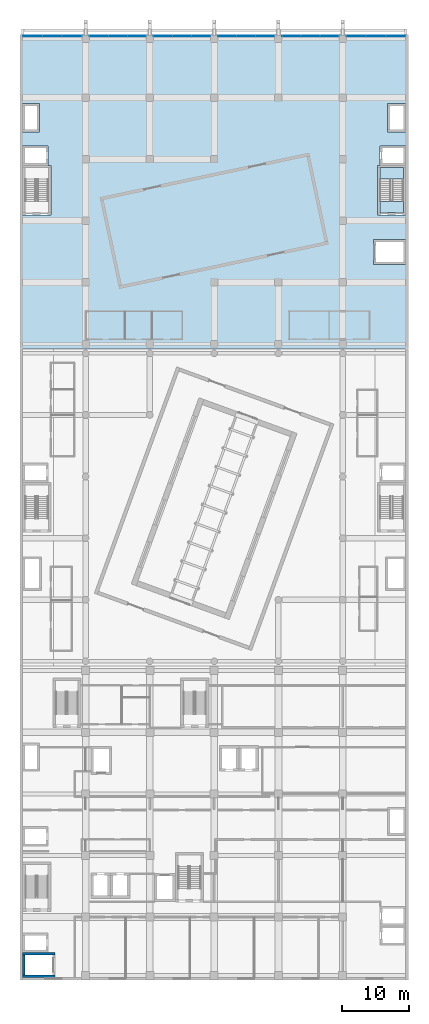
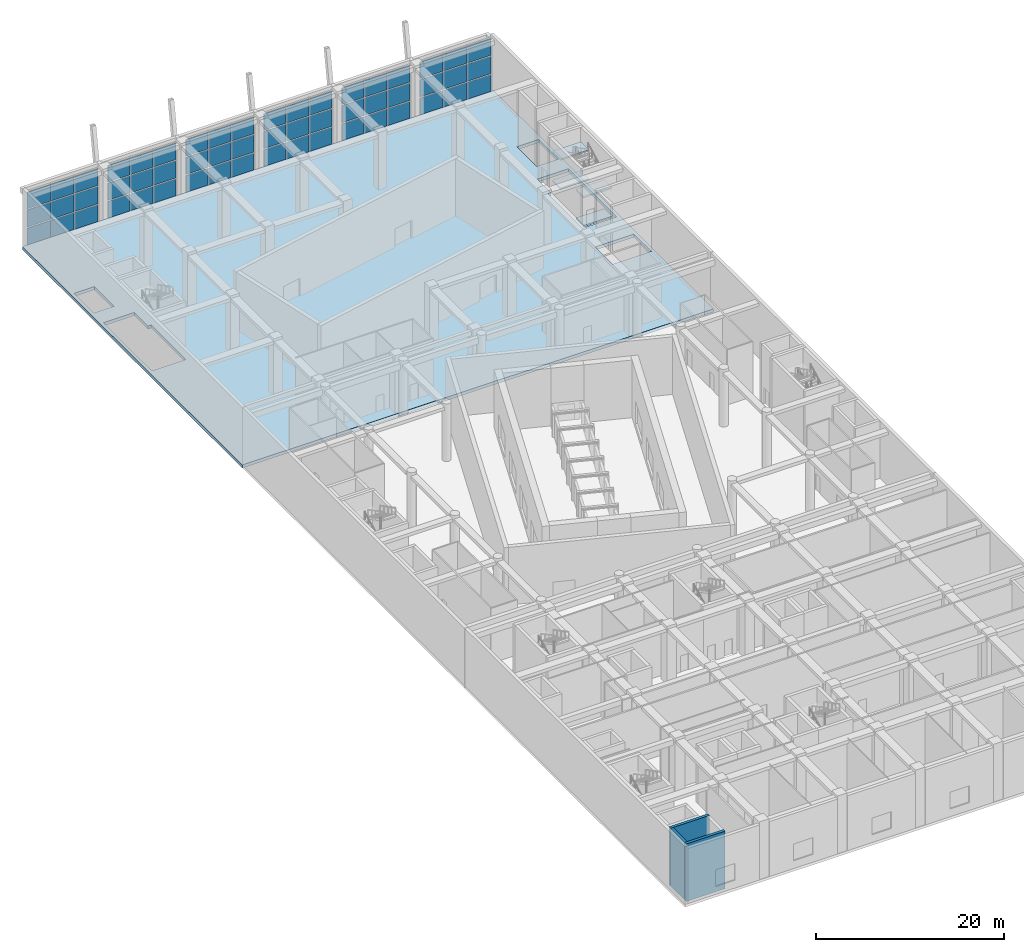
# One storey, part 12 of 36: 54 plates, 5 slabs, 3 walls, 7 elements without a shape of their own.
"""IFC4 building model written with IfcOpenShell, lengths in metres."""

import ifcopenshell
import ifcopenshell.guid

model = None  # the IFC model being written
_history = None  # IfcOwnerHistory: only IFC2X3 demands one
_inside = {}  # id of a spatial element -> (the spatial element, [elements in it])
_under = {}  # id of a project, library or spatial element -> (it, [spatial elements below it])
_declared = {}  # id of a project -> (the project, [libraries it declares])
_typed = {}  # id of a type object -> (the type object, [elements of that type])
_made_of = {}  # id of a material, layer set ... -> (it, [elements and type objects made of it])


def new_model(schema):
    """Start an empty IFC model of exactly this schema.

    Asked for "IFC4X3", IfcOpenShell would pick the latest addendum, in which some entities
    have other attributes; the version numbers below select the first issue.
    IFC2X3 requires an IfcOwnerHistory on every rooted entity: one is made here for all.
    """
    global model, _history
    if schema == "IFC4X3":
        model = ifcopenshell.file(schema_version=(4, 3, 0, 0))
    else:
        model = ifcopenshell.file(schema=schema)
    _inside.clear()
    _under.clear()
    _declared.clear()
    _typed.clear()
    _made_of.clear()
    _history = None
    if model.schema == "IFC2X3":
        org = make("IfcOrganization", Name="unknown")
        user = make(
            "IfcPersonAndOrganization",
            ThePerson=make("IfcPerson", FamilyName="unknown"),
            TheOrganization=org,
        )
        app = make(
            "IfcApplication",
            ApplicationDeveloper=org,
            Version="unknown",
            ApplicationFullName="unknown",
            ApplicationIdentifier="unknown",
        )
        _history = make(
            "IfcOwnerHistory",
            OwningUser=user,
            OwningApplication=app,
            ChangeAction="ADDED",
            CreationDate=0,
        )
    return model


def make(cls, **values):
    """One entity of the class cls with the attributes given. An attribute that is None is left unset."""
    return model.create_entity(
        cls, **{name: value for name, value in values.items() if value is not None}
    )


def rooted(cls, **values):
    """An entity with a GlobalId (a new one), such as an element, a storey or a relation."""
    return make(cls, GlobalId=ifcopenshell.guid.new(), OwnerHistory=_history, **values)


def si_unit(unit_type, name, prefix=None):
    """IfcSIUnit, for example si_unit("LENGTHUNIT", "METRE", prefix="MILLI")."""
    return make("IfcSIUnit", UnitType=unit_type, Prefix=prefix, Name=name)


def assignment(units):
    """IfcUnitAssignment: the units of a project."""
    return None if units is None else make("IfcUnitAssignment", Units=units)


def point(xyz):
    """IfcCartesianPoint."""
    return None if xyz is None else make("IfcCartesianPoint", Coordinates=xyz)


def direction(xyz):
    """IfcDirection."""
    return None if xyz is None else make("IfcDirection", DirectionRatios=xyz)


def frame(location, z_axis=None, x_axis=None):
    """IfcAxis2Placement3D, a coordinate frame: its origin and axes. An axis left out is left unset."""
    return make(
        "IfcAxis2Placement3D",
        Location=point(location),
        Axis=direction(z_axis),
        RefDirection=direction(x_axis),
    )


def frame_2d(location, x_axis=None):
    """IfcAxis2Placement2D, a coordinate frame in the plane: its origin and x axis."""
    return make(
        "IfcAxis2Placement2D", Location=point(location), RefDirection=direction(x_axis)
    )


def origin():
    """The frame at (0, 0, 0) with its axes left unset."""
    return frame((0.0, 0.0, 0.0))


def origin_2d():
    """The frame at (0, 0) in the plane with its x axis left unset."""
    return frame_2d((0.0, 0.0))


def place(relative_to, where):
    """IfcLocalPlacement: puts the frame where relative to a parent placement (None: the world)."""
    return make(
        "IfcLocalPlacement", PlacementRelTo=relative_to, RelativePlacement=where
    )


def context(
    kind, dimensions, precision=None, world=None, true_north=None, identifier=None
):
    """IfcGeometricRepresentationContext, for example the 3D "Model" context."""
    return make(
        "IfcGeometricRepresentationContext",
        ContextIdentifier=identifier,
        ContextType=kind,
        CoordinateSpaceDimension=dimensions,
        Precision=precision,
        WorldCoordinateSystem=world,
        TrueNorth=true_north,
    )


def subcontext(parent, identifier, kind, view, scale=None):
    """IfcGeometricRepresentationSubContext, for example "Body" below "Model"."""
    return make(
        "IfcGeometricRepresentationSubContext",
        ContextIdentifier=identifier,
        ContextType=kind,
        ParentContext=parent,
        TargetScale=scale,
        TargetView=view,
    )


def project(units=None, contexts=None):
    """IfcProject with its units and contexts."""
    return rooted(
        "IfcProject",
        Name="project",
        RepresentationContexts=contexts,
        UnitsInContext=assignment(units),
    )


def spatial(cls, under=None, at=None, **own):
    """A site, building, storey or space (cls), placed at a placement, below another one or the project."""
    s = rooted(cls, ObjectPlacement=at, **own)
    if under is not None:
        _under.setdefault(under.id(), (under, []))[1].append(s)
    return s


def polyline(points):
    """IfcPolyline through the points."""
    return make("IfcPolyline", Points=[point(p) for p in points])


def profile(cls, at=None, kind="AREA", **sizes):
    """A parametric profile (cls). Its sizes go by their IFC names, for example OverallWidth=200.0."""
    return make(cls, ProfileType=kind, Position=at, **sizes)


def rectangle(**sizes):
    """IfcRectangleProfileDef."""
    return profile("IfcRectangleProfileDef", **sizes)


def outline(outer, holes=None, kind="AREA"):
    """IfcArbitraryClosedProfileDef: a profile drawn as a closed curve; with holes, ...WithVoids."""
    if holes is None:
        return make("IfcArbitraryClosedProfileDef", ProfileType=kind, OuterCurve=outer)
    return make(
        "IfcArbitraryProfileDefWithVoids",
        ProfileType=kind,
        OuterCurve=outer,
        InnerCurves=holes,
    )


def extrude(swept, where, along, depth):
    """IfcExtrudedAreaSolid: the profile swept, set in the frame where, extruded along a direction by depth."""
    return make(
        "IfcExtrudedAreaSolid",
        SweptArea=swept,
        Position=where,
        ExtrudedDirection=direction(along),
        Depth=depth,
    )


def shape(context_of_items, identifier, shape_type, items):
    """IfcShapeRepresentation: the items that make up one representation, for example the "Body"."""
    return make(
        "IfcShapeRepresentation",
        ContextOfItems=context_of_items,
        RepresentationIdentifier=identifier,
        RepresentationType=shape_type,
        Items=items,
    )


def material(Name=None, Category=None):
    """IfcMaterial."""
    return make("IfcMaterial", Name=Name, Category=Category)


def layer(
    of_material, thickness, ventilated=None, Name=None, Category=None, Priority=None
):
    """IfcMaterialLayer: one layer of a wall or slab, of a material (None: an air gap)."""
    return make(
        "IfcMaterialLayer",
        Material=of_material,
        LayerThickness=thickness,
        IsVentilated=ventilated,
        Name=Name,
        Category=Category,
        Priority=Priority,
    )


def layer_set(layers, Name=None):
    """IfcMaterialLayerSet."""
    return make("IfcMaterialLayerSet", MaterialLayers=layers, LayerSetName=Name)


def made_of(thing, what):
    """Note that an element or type object is made of a material, layer set ...; save() writes the relation."""
    if what is not None:
        _made_of.setdefault(what.id(), (what, []))[1].append(thing)
    return thing


def type_object(cls, material=None, **own):
    """A type object (cls), such as IfcWallType, which elements share."""
    return made_of(rooted(cls, **own), material)


def element(
    cls,
    number,
    at=None,
    inside=None,
    cuts=None,
    type_object=None,
    material=None,
    context=None,
    identifier="Body",
    shape_type=None,
    held_by="IfcProductDefinitionShape",
    body=None,
    shapes=None,
    **own,
):
    """One element of the class cls, such as IfcWall. Its Tag is "e" and its number.

    at: its placement. inside: the storey or other place that contains it. cuts: it is an
    opening in that element (IfcRelVoidsElement). A single representation is given by context,
    identifier, shape_type and body (its items); several are given by shapes. held_by: the class
    of the entity that holds the representations. save() writes the other relations.
    """
    e = rooted(cls, Tag="e%d" % number, ObjectPlacement=at, **own)
    if body is not None:
        shapes = [shape(context, identifier, shape_type, body)]
    if shapes is not None:
        e.Representation = make(held_by, Representations=shapes)
    if inside is not None:
        _inside.setdefault(inside.id(), (inside, []))[1].append(e)
    if cuts is not None:
        rooted(
            "IfcRelVoidsElement", RelatingBuildingElement=cuts, RelatedOpeningElement=e
        )
    if type_object is not None:
        _typed.setdefault(type_object.id(), (type_object, []))[1].append(e)
    return made_of(e, material)


def aggregate(whole, parts):
    """IfcRelAggregates: a whole, such as a stair, and the parts it consists of."""
    return rooted("IfcRelAggregates", RelatingObject=whole, RelatedObjects=parts)


def save(model, path):
    """Write the relations noted so far, then the file.

    IfcRelAggregates (storeys below a building ...), IfcRelContainedInSpatialStructure (elements
    in a storey), IfcRelDefinesByType, IfcRelAssociatesMaterial and IfcRelDeclares: one each for
    every whole, place, type object, material and project.
    """
    for whole, parts in _under.values():
        aggregate(whole, parts)
    for where, things in _inside.values():
        rooted(
            "IfcRelContainedInSpatialStructure",
            RelatedElements=things,
            RelatingStructure=where,
        )
    for kind, things in _typed.values():
        rooted("IfcRelDefinesByType", RelatedObjects=things, RelatingType=kind)
    for what, things in _made_of.values():
        rooted("IfcRelAssociatesMaterial", RelatedObjects=things, RelatingMaterial=what)
    for by, libraries in _declared.values():
        rooted("IfcRelDeclares", RelatingContext=by, RelatedDefinitions=libraries)
    model.write(path)


model = new_model("IFC4")

# Units and contexts
model_context = context("Model", 3, precision=1e-05, world=origin(), true_north=direction((0.0, 1.0)))
body_context = subcontext(model_context, "Body", "Model", "MODEL_VIEW")
ifc_project = project(units=[si_unit("LENGTHUNIT", "METRE"), si_unit("AREAUNIT", "SQUARE_METRE"), si_unit("VOLUMEUNIT", "CUBIC_METRE"), si_unit("PLANEANGLEUNIT", "RADIAN"), si_unit("MASSUNIT", "GRAM", prefix="KILO")], contexts=[model_context])

# Site, building, storey
site_placement = place(None, origin())
site = spatial("IfcSite", under=ifc_project, at=site_placement, CompositionType="ELEMENT")
building_placement = place(site_placement, origin())
building = spatial("IfcBuilding", under=site, at=building_placement, Name="Nzadi Deep Aquarium and Research Tower", CompositionType="ELEMENT")
storey_placement = place(building_placement, frame((0.0, 0.0, 14.199951171875)))
storey = spatial("IfcBuildingStorey", under=building, at=storey_placement, Name="L02", CompositionType="ELEMENT", Elevation=14.199951171875)

# Curtain wall, plates
ifc_material_1 = material(Name="Aluminium unitised frame tall span", Category="aluminium")
ifc_layer_1 = layer(ifc_material_1, 0.35009765625)
ifc_layer_set_1 = layer_set([ifc_layer_1], Name="Aluminium unitised frame tall span")
curtain_wall_type = type_object("IfcCurtainWallType", Name="Curtain wall Podium 350", PredefinedType="NOTDEFINED", material=ifc_layer_set_1)
curtain_wall_1_placement = place(storey_placement, origin())
curtain_wall_1 = element("IfcCurtainWall", 1, at=curtain_wall_1_placement, inside=storey, type_object=curtain_wall_type, Name="North facade curtain wall L02", PredefinedType="NOTDEFINED")
ifc_material_2 = material(Name="Glass, clear low-iron", Category="glass")
ifc_layer_2 = layer(ifc_material_2, 0.0400390625)
ifc_layer_set_2 = layer_set([ifc_layer_2], Name="Glass, clear low-iron")
plate_type_1 = type_object("IfcPlateType", Name="Glazing panel 40 Podium", PredefinedType="CURTAIN_PANEL", material=ifc_layer_set_2)
plate_1_placement = place(storey_placement, frame((1.68994140625, 140.824951171875, 0.14013671875), z_axis=(0.0, 0.0, 1.0), x_axis=(1.0, 0.0, 0.0)))
plate_1 = element("IfcPlate", 2, at=plate_1_placement, type_object=plate_type_1, Name="CW249 panel 1.1", PredefinedType="CURTAIN_PANEL", context=body_context, shape_type="SweptSolid", body=[
    extrude(rectangle(XDim=2.860107421875, YDim=0.0400390625, at=origin_2d()), origin(), (0.0, 0.0, 1.0), 2.173095703125),
])
plate_2_placement = place(storey_placement, frame((1.68994140625, 140.824951171875, 2.453125), z_axis=(0.0, 0.0, 1.0), x_axis=(1.0, 0.0, 0.0)))
plate_2 = element("IfcPlate", 3, at=plate_2_placement, type_object=plate_type_1, Name="CW249 panel 1.2", PredefinedType="CURTAIN_PANEL", context=body_context, shape_type="SweptSolid", body=[
    extrude(rectangle(XDim=2.860107421875, YDim=0.0400390625, at=origin_2d()), origin(), (0.0, 0.0, 1.0), 2.243896484375),
])
plate_3_placement = place(storey_placement, frame((1.68994140625, 140.824951171875, 4.8369140625), z_axis=(0.0, 0.0, 1.0), x_axis=(1.0, 0.0, 0.0)))
plate_3 = element("IfcPlate", 4, at=plate_3_placement, type_object=plate_type_1, Name="CW249 panel 1.3", PredefinedType="CURTAIN_PANEL", context=body_context, shape_type="SweptSolid", body=[
    extrude(rectangle(XDim=2.860107421875, YDim=0.0400390625, at=origin_2d()), origin(), (0.0, 0.0, 1.0), 2.173095703125),
])

curtain_wall_2_placement = place(storey_placement, origin())
curtain_wall_2 = element("IfcCurtainWall", 5, at=curtain_wall_2_placement, inside=storey, type_object=curtain_wall_type, Name="North facade curtain wall L02", PredefinedType="NOTDEFINED")
plate_4_placement = place(storey_placement, frame((52.97509765625, 140.824951171875, 0.14013671875), z_axis=(0.0, 0.0, 1.0), x_axis=(1.0, 0.0, 0.0)))
plate_4 = element("IfcPlate", 6, at=plate_4_placement, type_object=plate_type_1, Name="CW254 panel 2.1", PredefinedType="CURTAIN_PANEL", context=body_context, shape_type="SweptSolid", body=[
    extrude(rectangle(XDim=2.889892578125, YDim=0.0400390625, at=origin_2d()), origin(), (0.0, 0.0, 1.0), 2.173095703125),
])
plate_5_placement = place(storey_placement, frame((52.97509765625, 140.824951171875, 2.453125), z_axis=(0.0, 0.0, 1.0), x_axis=(1.0, 0.0, 0.0)))
plate_5 = element("IfcPlate", 7, at=plate_5_placement, type_object=plate_type_1, Name="CW254 panel 2.2", PredefinedType="CURTAIN_PANEL", context=body_context, shape_type="SweptSolid", body=[
    extrude(rectangle(XDim=2.889892578125, YDim=0.0400390625, at=origin_2d()), origin(), (0.0, 0.0, 1.0), 2.243896484375),
])
plate_6_placement = place(storey_placement, frame((52.97509765625, 140.824951171875, 4.8369140625), z_axis=(0.0, 0.0, 1.0), x_axis=(1.0, 0.0, 0.0)))
plate_6 = element("IfcPlate", 8, at=plate_6_placement, type_object=plate_type_1, Name="CW254 panel 2.3", PredefinedType="CURTAIN_PANEL", context=body_context, shape_type="SweptSolid", body=[
    extrude(rectangle(XDim=2.889892578125, YDim=0.0400390625, at=origin_2d()), origin(), (0.0, 0.0, 1.0), 2.173095703125),
])
plate_7_placement = place(storey_placement, frame((55.909912109375, 140.824951171875, 0.14013671875), z_axis=(0.0, 0.0, 1.0), x_axis=(1.0, 0.0, 0.0)))
plate_7 = element("IfcPlate", 9, at=plate_7_placement, type_object=plate_type_1, Name="CW254 panel 3.1", PredefinedType="CURTAIN_PANEL", context=body_context, shape_type="SweptSolid", body=[
    extrude(rectangle(XDim=2.860107421875, YDim=0.0400390625, at=origin_2d()), origin(), (0.0, 0.0, 1.0), 2.173095703125),
])
plate_8_placement = place(storey_placement, frame((55.909912109375, 140.824951171875, 2.453125), z_axis=(0.0, 0.0, 1.0), x_axis=(1.0, 0.0, 0.0)))
plate_8 = element("IfcPlate", 10, at=plate_8_placement, type_object=plate_type_1, Name="CW254 panel 3.2", PredefinedType="CURTAIN_PANEL", context=body_context, shape_type="SweptSolid", body=[
    extrude(rectangle(XDim=2.860107421875, YDim=0.0400390625, at=origin_2d()), origin(), (0.0, 0.0, 1.0), 2.243896484375),
])
plate_9_placement = place(storey_placement, frame((55.909912109375, 140.824951171875, 4.8369140625), z_axis=(0.0, 0.0, 1.0), x_axis=(1.0, 0.0, 0.0)))
plate_9 = element("IfcPlate", 11, at=plate_9_placement, type_object=plate_type_1, Name="CW254 panel 3.3", PredefinedType="CURTAIN_PANEL", context=body_context, shape_type="SweptSolid", body=[
    extrude(rectangle(XDim=2.860107421875, YDim=0.0400390625, at=origin_2d()), origin(), (0.0, 0.0, 1.0), 2.173095703125),
])

# Plate
ifc_material_3 = material(Name="Glass, deep ocean tint", Category="glass")
ifc_layer_3 = layer(ifc_material_3, 0.0400390625)
ifc_layer_set_3 = layer_set([ifc_layer_3], Name="Glass, deep ocean tint")
plate_type_2 = type_object("IfcPlateType", Name="Glazing panel 40 Podium water-tinted", PredefinedType="CURTAIN_PANEL", material=ifc_layer_set_3)
plate_10_placement = place(storey_placement, frame((4.625, 140.824951171875, 0.14013671875), z_axis=(0.0, 0.0, 1.0), x_axis=(1.0, 0.0, 0.0)))
plate_10 = element("IfcPlate", 12, at=plate_10_placement, type_object=plate_type_2, Name="CW249 panel 2.1", PredefinedType="CURTAIN_PANEL", context=body_context, shape_type="SweptSolid", body=[
    extrude(rectangle(XDim=2.889892578125, YDim=0.0400390625, at=origin_2d()), origin(), (0.0, 0.0, 1.0), 2.173095703125),
])

plate_11_placement = place(storey_placement, frame((4.625, 140.824951171875, 2.453125), z_axis=(0.0, 0.0, 1.0), x_axis=(1.0, 0.0, 0.0)))
plate_11 = element("IfcPlate", 13, at=plate_11_placement, type_object=plate_type_2, Name="CW249 panel 2.2", PredefinedType="CURTAIN_PANEL", context=body_context, shape_type="SweptSolid", body=[
    extrude(rectangle(XDim=2.889892578125, YDim=0.0400390625, at=origin_2d()), origin(), (0.0, 0.0, 1.0), 2.243896484375),
])

plate_12_placement = place(storey_placement, frame((4.625, 140.824951171875, 4.8369140625), z_axis=(0.0, 0.0, 1.0), x_axis=(1.0, 0.0, 0.0)))
plate_12 = element("IfcPlate", 14, at=plate_12_placement, type_object=plate_type_2, Name="CW249 panel 2.3", PredefinedType="CURTAIN_PANEL", context=body_context, shape_type="SweptSolid", body=[
    extrude(rectangle(XDim=2.889892578125, YDim=0.0400390625, at=origin_2d()), origin(), (0.0, 0.0, 1.0), 2.173095703125),
])

plate_13_placement = place(storey_placement, frame((7.56005859375, 140.824951171875, 0.14013671875), z_axis=(0.0, 0.0, 1.0), x_axis=(1.0, 0.0, 0.0)))
plate_13 = element("IfcPlate", 15, at=plate_13_placement, type_object=plate_type_2, Name="CW249 panel 3.1", PredefinedType="CURTAIN_PANEL", context=body_context, shape_type="SweptSolid", body=[
    extrude(rectangle(XDim=2.860107421875, YDim=0.0400390625, at=origin_2d()), origin(), (0.0, 0.0, 1.0), 2.173095703125),
])

plate_14_placement = place(storey_placement, frame((7.56005859375, 140.824951171875, 2.453125), z_axis=(0.0, 0.0, 1.0), x_axis=(1.0, 0.0, 0.0)))
plate_14 = element("IfcPlate", 16, at=plate_14_placement, type_object=plate_type_2, Name="CW249 panel 3.2", PredefinedType="CURTAIN_PANEL", context=body_context, shape_type="SweptSolid", body=[
    extrude(rectangle(XDim=2.860107421875, YDim=0.0400390625, at=origin_2d()), origin(), (0.0, 0.0, 1.0), 2.243896484375),
])

plate_15_placement = place(storey_placement, frame((7.56005859375, 140.824951171875, 4.8369140625), z_axis=(0.0, 0.0, 1.0), x_axis=(1.0, 0.0, 0.0)))
plate_15 = element("IfcPlate", 17, at=plate_15_placement, type_object=plate_type_2, Name="CW249 panel 3.3", PredefinedType="CURTAIN_PANEL", context=body_context, shape_type="SweptSolid", body=[
    extrude(rectangle(XDim=2.860107421875, YDim=0.0400390625, at=origin_2d()), origin(), (0.0, 0.0, 1.0), 2.173095703125),
])

aggregate(curtain_wall_1, [plate_1, plate_2, plate_3, plate_10, plate_11, plate_12, plate_13, plate_14, plate_15])

# Curtain wall, plates
curtain_wall_3_placement = place(storey_placement, origin())
curtain_wall_3 = element("IfcCurtainWall", 18, at=curtain_wall_3_placement, inside=storey, type_object=curtain_wall_type, Name="North facade curtain wall L02", PredefinedType="NOTDEFINED")
plate_16_placement = place(storey_placement, frame((11.581787109375, 140.824951171875, 0.14013671875), z_axis=(0.0, 0.0, 1.0), x_axis=(1.0, 0.0, 0.0)))
plate_16 = element("IfcPlate", 19, at=plate_16_placement, type_object=plate_type_2, Name="CW250 panel 1.1", PredefinedType="CURTAIN_PANEL", context=body_context, shape_type="SweptSolid", body=[
    extrude(rectangle(XDim=2.743408203125, YDim=0.0400390625, at=origin_2d()), origin(), (0.0, 0.0, 1.0), 2.173095703125),
])
plate_17_placement = place(storey_placement, frame((11.581787109375, 140.824951171875, 2.453125), z_axis=(0.0, 0.0, 1.0), x_axis=(1.0, 0.0, 0.0)))
plate_17 = element("IfcPlate", 20, at=plate_17_placement, type_object=plate_type_2, Name="CW250 panel 1.2", PredefinedType="CURTAIN_PANEL", context=body_context, shape_type="SweptSolid", body=[
    extrude(rectangle(XDim=2.743408203125, YDim=0.0400390625, at=origin_2d()), origin(), (0.0, 0.0, 1.0), 2.243896484375),
])
plate_18_placement = place(storey_placement, frame((11.581787109375, 140.824951171875, 4.8369140625), z_axis=(0.0, 0.0, 1.0), x_axis=(1.0, 0.0, 0.0)))
plate_18 = element("IfcPlate", 21, at=plate_18_placement, type_object=plate_type_2, Name="CW250 panel 1.3", PredefinedType="CURTAIN_PANEL", context=body_context, shape_type="SweptSolid", body=[
    extrude(rectangle(XDim=2.743408203125, YDim=0.0400390625, at=origin_2d()), origin(), (0.0, 0.0, 1.0), 2.173095703125),
])
plate_19_placement = place(storey_placement, frame((14.39990234375, 140.824951171875, 0.14013671875), z_axis=(0.0, 0.0, 1.0), x_axis=(1.0, 0.0, 0.0)))
plate_19 = element("IfcPlate", 22, at=plate_19_placement, type_object=plate_type_2, Name="CW250 panel 2.1", PredefinedType="CURTAIN_PANEL", context=body_context, shape_type="SweptSolid", body=[
    extrude(rectangle(XDim=2.7734375, YDim=0.0400390625, at=origin_2d()), origin(), (0.0, 0.0, 1.0), 2.173095703125),
])
plate_20_placement = place(storey_placement, frame((14.39990234375, 140.824951171875, 2.453125), z_axis=(0.0, 0.0, 1.0), x_axis=(1.0, 0.0, 0.0)))
plate_20 = element("IfcPlate", 23, at=plate_20_placement, type_object=plate_type_2, Name="CW250 panel 2.2", PredefinedType="CURTAIN_PANEL", context=body_context, shape_type="SweptSolid", body=[
    extrude(rectangle(XDim=2.7734375, YDim=0.0400390625, at=origin_2d()), origin(), (0.0, 0.0, 1.0), 2.243896484375),
])
plate_21_placement = place(storey_placement, frame((14.39990234375, 140.824951171875, 4.8369140625), z_axis=(0.0, 0.0, 1.0), x_axis=(1.0, 0.0, 0.0)))
plate_21 = element("IfcPlate", 24, at=plate_21_placement, type_object=plate_type_2, Name="CW250 panel 2.3", PredefinedType="CURTAIN_PANEL", context=body_context, shape_type="SweptSolid", body=[
    extrude(rectangle(XDim=2.7734375, YDim=0.0400390625, at=origin_2d()), origin(), (0.0, 0.0, 1.0), 2.173095703125),
])
plate_22_placement = place(storey_placement, frame((17.21826171875, 140.824951171875, 0.14013671875), z_axis=(0.0, 0.0, 1.0), x_axis=(1.0, 0.0, 0.0)))
plate_22 = element("IfcPlate", 25, at=plate_22_placement, type_object=plate_type_2, Name="CW250 panel 3.1", PredefinedType="CURTAIN_PANEL", context=body_context, shape_type="SweptSolid", body=[
    extrude(rectangle(XDim=2.743408203125, YDim=0.0400390625, at=origin_2d()), origin(), (0.0, 0.0, 1.0), 2.173095703125),
])
plate_23_placement = place(storey_placement, frame((17.21826171875, 140.824951171875, 2.453125), z_axis=(0.0, 0.0, 1.0), x_axis=(1.0, 0.0, 0.0)))
plate_23 = element("IfcPlate", 26, at=plate_23_placement, type_object=plate_type_2, Name="CW250 panel 3.2", PredefinedType="CURTAIN_PANEL", context=body_context, shape_type="SweptSolid", body=[
    extrude(rectangle(XDim=2.743408203125, YDim=0.0400390625, at=origin_2d()), origin(), (0.0, 0.0, 1.0), 2.243896484375),
])
plate_24_placement = place(storey_placement, frame((17.21826171875, 140.824951171875, 4.8369140625), z_axis=(0.0, 0.0, 1.0), x_axis=(1.0, 0.0, 0.0)))
plate_24 = element("IfcPlate", 27, at=plate_24_placement, type_object=plate_type_2, Name="CW250 panel 3.3", PredefinedType="CURTAIN_PANEL", context=body_context, shape_type="SweptSolid", body=[
    extrude(rectangle(XDim=2.743408203125, YDim=0.0400390625, at=origin_2d()), origin(), (0.0, 0.0, 1.0), 2.173095703125),
])
aggregate(curtain_wall_3, [plate_16, plate_17, plate_18, plate_19, plate_20, plate_21, plate_22, plate_23, plate_24])

curtain_wall_4_placement = place(storey_placement, origin())
curtain_wall_4 = element("IfcCurtainWall", 28, at=curtain_wall_4_placement, inside=storey, type_object=curtain_wall_type, Name="North facade curtain wall L02", PredefinedType="NOTDEFINED")
plate_25_placement = place(storey_placement, frame((21.181640625, 140.824951171875, 0.14013671875), z_axis=(0.0, 0.0, 1.0), x_axis=(1.0, 0.0, 0.0)))
plate_25 = element("IfcPlate", 29, at=plate_25_placement, type_object=plate_type_2, Name="CW251 panel 1.1", PredefinedType="CURTAIN_PANEL", context=body_context, shape_type="SweptSolid", body=[
    extrude(rectangle(XDim=2.743408203125, YDim=0.0400390625, at=origin_2d()), origin(), (0.0, 0.0, 1.0), 2.173095703125),
])
plate_26_placement = place(storey_placement, frame((21.181640625, 140.824951171875, 2.453125), z_axis=(0.0, 0.0, 1.0), x_axis=(1.0, 0.0, 0.0)))
plate_26 = element("IfcPlate", 30, at=plate_26_placement, type_object=plate_type_2, Name="CW251 panel 1.2", PredefinedType="CURTAIN_PANEL", context=body_context, shape_type="SweptSolid", body=[
    extrude(rectangle(XDim=2.743408203125, YDim=0.0400390625, at=origin_2d()), origin(), (0.0, 0.0, 1.0), 2.243896484375),
])
plate_27_placement = place(storey_placement, frame((21.181640625, 140.824951171875, 4.8369140625), z_axis=(0.0, 0.0, 1.0), x_axis=(1.0, 0.0, 0.0)))
plate_27 = element("IfcPlate", 31, at=plate_27_placement, type_object=plate_type_2, Name="CW251 panel 1.3", PredefinedType="CURTAIN_PANEL", context=body_context, shape_type="SweptSolid", body=[
    extrude(rectangle(XDim=2.743408203125, YDim=0.0400390625, at=origin_2d()), origin(), (0.0, 0.0, 1.0), 2.173095703125),
])
plate_28_placement = place(storey_placement, frame((24.0, 140.824951171875, 0.14013671875), z_axis=(0.0, 0.0, 1.0), x_axis=(1.0, 0.0, 0.0)))
plate_28 = element("IfcPlate", 32, at=plate_28_placement, type_object=plate_type_2, Name="CW251 panel 2.1", PredefinedType="CURTAIN_PANEL", context=body_context, shape_type="SweptSolid", body=[
    extrude(rectangle(XDim=2.7734375, YDim=0.0400390625, at=origin_2d()), origin(), (0.0, 0.0, 1.0), 2.173095703125),
])
plate_29_placement = place(storey_placement, frame((24.0, 140.824951171875, 2.453125), z_axis=(0.0, 0.0, 1.0), x_axis=(1.0, 0.0, 0.0)))
plate_29 = element("IfcPlate", 33, at=plate_29_placement, type_object=plate_type_2, Name="CW251 panel 2.2", PredefinedType="CURTAIN_PANEL", context=body_context, shape_type="SweptSolid", body=[
    extrude(rectangle(XDim=2.7734375, YDim=0.0400390625, at=origin_2d()), origin(), (0.0, 0.0, 1.0), 2.243896484375),
])
plate_30_placement = place(storey_placement, frame((24.0, 140.824951171875, 4.8369140625), z_axis=(0.0, 0.0, 1.0), x_axis=(1.0, 0.0, 0.0)))
plate_30 = element("IfcPlate", 34, at=plate_30_placement, type_object=plate_type_2, Name="CW251 panel 2.3", PredefinedType="CURTAIN_PANEL", context=body_context, shape_type="SweptSolid", body=[
    extrude(rectangle(XDim=2.7734375, YDim=0.0400390625, at=origin_2d()), origin(), (0.0, 0.0, 1.0), 2.173095703125),
])
plate_31_placement = place(storey_placement, frame((26.818359375, 140.824951171875, 0.14013671875), z_axis=(0.0, 0.0, 1.0), x_axis=(1.0, 0.0, 0.0)))
plate_31 = element("IfcPlate", 35, at=plate_31_placement, type_object=plate_type_2, Name="CW251 panel 3.1", PredefinedType="CURTAIN_PANEL", context=body_context, shape_type="SweptSolid", body=[
    extrude(rectangle(XDim=2.743408203125, YDim=0.0400390625, at=origin_2d()), origin(), (0.0, 0.0, 1.0), 2.173095703125),
])
plate_32_placement = place(storey_placement, frame((26.818359375, 140.824951171875, 2.453125), z_axis=(0.0, 0.0, 1.0), x_axis=(1.0, 0.0, 0.0)))
plate_32 = element("IfcPlate", 36, at=plate_32_placement, type_object=plate_type_2, Name="CW251 panel 3.2", PredefinedType="CURTAIN_PANEL", context=body_context, shape_type="SweptSolid", body=[
    extrude(rectangle(XDim=2.743408203125, YDim=0.0400390625, at=origin_2d()), origin(), (0.0, 0.0, 1.0), 2.243896484375),
])
plate_33_placement = place(storey_placement, frame((26.818359375, 140.824951171875, 4.8369140625), z_axis=(0.0, 0.0, 1.0), x_axis=(1.0, 0.0, 0.0)))
plate_33 = element("IfcPlate", 37, at=plate_33_placement, type_object=plate_type_2, Name="CW251 panel 3.3", PredefinedType="CURTAIN_PANEL", context=body_context, shape_type="SweptSolid", body=[
    extrude(rectangle(XDim=2.743408203125, YDim=0.0400390625, at=origin_2d()), origin(), (0.0, 0.0, 1.0), 2.173095703125),
])
aggregate(curtain_wall_4, [plate_25, plate_26, plate_27, plate_28, plate_29, plate_30, plate_31, plate_32, plate_33])

curtain_wall_5_placement = place(storey_placement, origin())
curtain_wall_5 = element("IfcCurtainWall", 38, at=curtain_wall_5_placement, inside=storey, type_object=curtain_wall_type, Name="North facade curtain wall L02", PredefinedType="NOTDEFINED")
plate_34_placement = place(storey_placement, frame((30.78173828125, 140.824951171875, 0.14013671875), z_axis=(0.0, 0.0, 1.0), x_axis=(1.0, 0.0, 0.0)))
plate_34 = element("IfcPlate", 39, at=plate_34_placement, type_object=plate_type_2, Name="CW252 panel 1.1", PredefinedType="CURTAIN_PANEL", context=body_context, shape_type="SweptSolid", body=[
    extrude(rectangle(XDim=2.743408203125, YDim=0.0400390625, at=origin_2d()), origin(), (0.0, 0.0, 1.0), 2.173095703125),
])
plate_35_placement = place(storey_placement, frame((30.78173828125, 140.824951171875, 2.453125), z_axis=(0.0, 0.0, 1.0), x_axis=(1.0, 0.0, 0.0)))
plate_35 = element("IfcPlate", 40, at=plate_35_placement, type_object=plate_type_2, Name="CW252 panel 1.2", PredefinedType="CURTAIN_PANEL", context=body_context, shape_type="SweptSolid", body=[
    extrude(rectangle(XDim=2.743408203125, YDim=0.0400390625, at=origin_2d()), origin(), (0.0, 0.0, 1.0), 2.243896484375),
])
plate_36_placement = place(storey_placement, frame((30.78173828125, 140.824951171875, 4.8369140625), z_axis=(0.0, 0.0, 1.0), x_axis=(1.0, 0.0, 0.0)))
plate_36 = element("IfcPlate", 41, at=plate_36_placement, type_object=plate_type_2, Name="CW252 panel 1.3", PredefinedType="CURTAIN_PANEL", context=body_context, shape_type="SweptSolid", body=[
    extrude(rectangle(XDim=2.743408203125, YDim=0.0400390625, at=origin_2d()), origin(), (0.0, 0.0, 1.0), 2.173095703125),
])
plate_37_placement = place(storey_placement, frame((33.60009765625, 140.824951171875, 0.14013671875), z_axis=(0.0, 0.0, 1.0), x_axis=(1.0, 0.0, 0.0)))
plate_37 = element("IfcPlate", 42, at=plate_37_placement, type_object=plate_type_2, Name="CW252 panel 2.1", PredefinedType="CURTAIN_PANEL", context=body_context, shape_type="SweptSolid", body=[
    extrude(rectangle(XDim=2.7734375, YDim=0.0400390625, at=origin_2d()), origin(), (0.0, 0.0, 1.0), 2.173095703125),
])
plate_38_placement = place(storey_placement, frame((33.60009765625, 140.824951171875, 2.453125), z_axis=(0.0, 0.0, 1.0), x_axis=(1.0, 0.0, 0.0)))
plate_38 = element("IfcPlate", 43, at=plate_38_placement, type_object=plate_type_2, Name="CW252 panel 2.2", PredefinedType="CURTAIN_PANEL", context=body_context, shape_type="SweptSolid", body=[
    extrude(rectangle(XDim=2.7734375, YDim=0.0400390625, at=origin_2d()), origin(), (0.0, 0.0, 1.0), 2.243896484375),
])
plate_39_placement = place(storey_placement, frame((33.60009765625, 140.824951171875, 4.8369140625), z_axis=(0.0, 0.0, 1.0), x_axis=(1.0, 0.0, 0.0)))
plate_39 = element("IfcPlate", 44, at=plate_39_placement, type_object=plate_type_2, Name="CW252 panel 2.3", PredefinedType="CURTAIN_PANEL", context=body_context, shape_type="SweptSolid", body=[
    extrude(rectangle(XDim=2.7734375, YDim=0.0400390625, at=origin_2d()), origin(), (0.0, 0.0, 1.0), 2.173095703125),
])
plate_40_placement = place(storey_placement, frame((36.418212890625, 140.824951171875, 0.14013671875), z_axis=(0.0, 0.0, 1.0), x_axis=(1.0, 0.0, 0.0)))
plate_40 = element("IfcPlate", 45, at=plate_40_placement, type_object=plate_type_2, Name="CW252 panel 3.1", PredefinedType="CURTAIN_PANEL", context=body_context, shape_type="SweptSolid", body=[
    extrude(rectangle(XDim=2.743408203125, YDim=0.0400390625, at=origin_2d()), origin(), (0.0, 0.0, 1.0), 2.173095703125),
])
plate_41_placement = place(storey_placement, frame((36.418212890625, 140.824951171875, 2.453125), z_axis=(0.0, 0.0, 1.0), x_axis=(1.0, 0.0, 0.0)))
plate_41 = element("IfcPlate", 46, at=plate_41_placement, type_object=plate_type_2, Name="CW252 panel 3.2", PredefinedType="CURTAIN_PANEL", context=body_context, shape_type="SweptSolid", body=[
    extrude(rectangle(XDim=2.743408203125, YDim=0.0400390625, at=origin_2d()), origin(), (0.0, 0.0, 1.0), 2.243896484375),
])
plate_42_placement = place(storey_placement, frame((36.418212890625, 140.824951171875, 4.8369140625), z_axis=(0.0, 0.0, 1.0), x_axis=(1.0, 0.0, 0.0)))
plate_42 = element("IfcPlate", 47, at=plate_42_placement, type_object=plate_type_2, Name="CW252 panel 3.3", PredefinedType="CURTAIN_PANEL", context=body_context, shape_type="SweptSolid", body=[
    extrude(rectangle(XDim=2.743408203125, YDim=0.0400390625, at=origin_2d()), origin(), (0.0, 0.0, 1.0), 2.173095703125),
])
aggregate(curtain_wall_5, [plate_34, plate_35, plate_36, plate_37, plate_38, plate_39, plate_40, plate_41, plate_42])

curtain_wall_6_placement = place(storey_placement, origin())
curtain_wall_6 = element("IfcCurtainWall", 48, at=curtain_wall_6_placement, inside=storey, type_object=curtain_wall_type, Name="North facade curtain wall L02", PredefinedType="NOTDEFINED")
plate_43_placement = place(storey_placement, frame((40.381591796875, 140.824951171875, 0.14013671875), z_axis=(0.0, 0.0, 1.0), x_axis=(1.0, 0.0, 0.0)))
plate_43 = element("IfcPlate", 49, at=plate_43_placement, type_object=plate_type_2, Name="CW253 panel 1.1", PredefinedType="CURTAIN_PANEL", context=body_context, shape_type="SweptSolid", body=[
    extrude(rectangle(XDim=2.743408203125, YDim=0.0400390625, at=origin_2d()), origin(), (0.0, 0.0, 1.0), 2.173095703125),
])
plate_44_placement = place(storey_placement, frame((40.381591796875, 140.824951171875, 2.453125), z_axis=(0.0, 0.0, 1.0), x_axis=(1.0, 0.0, 0.0)))
plate_44 = element("IfcPlate", 50, at=plate_44_placement, type_object=plate_type_2, Name="CW253 panel 1.2", PredefinedType="CURTAIN_PANEL", context=body_context, shape_type="SweptSolid", body=[
    extrude(rectangle(XDim=2.743408203125, YDim=0.0400390625, at=origin_2d()), origin(), (0.0, 0.0, 1.0), 2.243896484375),
])
plate_45_placement = place(storey_placement, frame((40.381591796875, 140.824951171875, 4.8369140625), z_axis=(0.0, 0.0, 1.0), x_axis=(1.0, 0.0, 0.0)))
plate_45 = element("IfcPlate", 51, at=plate_45_placement, type_object=plate_type_2, Name="CW253 panel 1.3", PredefinedType="CURTAIN_PANEL", context=body_context, shape_type="SweptSolid", body=[
    extrude(rectangle(XDim=2.743408203125, YDim=0.0400390625, at=origin_2d()), origin(), (0.0, 0.0, 1.0), 2.173095703125),
])
plate_46_placement = place(storey_placement, frame((43.199951171875, 140.824951171875, 0.14013671875), z_axis=(0.0, 0.0, 1.0), x_axis=(1.0, 0.0, 0.0)))
plate_46 = element("IfcPlate", 52, at=plate_46_placement, type_object=plate_type_2, Name="CW253 panel 2.1", PredefinedType="CURTAIN_PANEL", context=body_context, shape_type="SweptSolid", body=[
    extrude(rectangle(XDim=2.7734375, YDim=0.0400390625, at=origin_2d()), origin(), (0.0, 0.0, 1.0), 2.173095703125),
])
plate_47_placement = place(storey_placement, frame((43.199951171875, 140.824951171875, 2.453125), z_axis=(0.0, 0.0, 1.0), x_axis=(1.0, 0.0, 0.0)))
plate_47 = element("IfcPlate", 53, at=plate_47_placement, type_object=plate_type_2, Name="CW253 panel 2.2", PredefinedType="CURTAIN_PANEL", context=body_context, shape_type="SweptSolid", body=[
    extrude(rectangle(XDim=2.7734375, YDim=0.0400390625, at=origin_2d()), origin(), (0.0, 0.0, 1.0), 2.243896484375),
])
plate_48_placement = place(storey_placement, frame((43.199951171875, 140.824951171875, 4.8369140625), z_axis=(0.0, 0.0, 1.0), x_axis=(1.0, 0.0, 0.0)))
plate_48 = element("IfcPlate", 54, at=plate_48_placement, type_object=plate_type_2, Name="CW253 panel 2.3", PredefinedType="CURTAIN_PANEL", context=body_context, shape_type="SweptSolid", body=[
    extrude(rectangle(XDim=2.7734375, YDim=0.0400390625, at=origin_2d()), origin(), (0.0, 0.0, 1.0), 2.173095703125),
])
plate_49_placement = place(storey_placement, frame((46.018310546875, 140.824951171875, 0.14013671875), z_axis=(0.0, 0.0, 1.0), x_axis=(1.0, 0.0, 0.0)))
plate_49 = element("IfcPlate", 55, at=plate_49_placement, type_object=plate_type_2, Name="CW253 panel 3.1", PredefinedType="CURTAIN_PANEL", context=body_context, shape_type="SweptSolid", body=[
    extrude(rectangle(XDim=2.743408203125, YDim=0.0400390625, at=origin_2d()), origin(), (0.0, 0.0, 1.0), 2.173095703125),
])
plate_50_placement = place(storey_placement, frame((46.018310546875, 140.824951171875, 2.453125), z_axis=(0.0, 0.0, 1.0), x_axis=(1.0, 0.0, 0.0)))
plate_50 = element("IfcPlate", 56, at=plate_50_placement, type_object=plate_type_2, Name="CW253 panel 3.2", PredefinedType="CURTAIN_PANEL", context=body_context, shape_type="SweptSolid", body=[
    extrude(rectangle(XDim=2.743408203125, YDim=0.0400390625, at=origin_2d()), origin(), (0.0, 0.0, 1.0), 2.243896484375),
])
plate_51_placement = place(storey_placement, frame((46.018310546875, 140.824951171875, 4.8369140625), z_axis=(0.0, 0.0, 1.0), x_axis=(1.0, 0.0, 0.0)))
plate_51 = element("IfcPlate", 57, at=plate_51_placement, type_object=plate_type_2, Name="CW253 panel 3.3", PredefinedType="CURTAIN_PANEL", context=body_context, shape_type="SweptSolid", body=[
    extrude(rectangle(XDim=2.743408203125, YDim=0.0400390625, at=origin_2d()), origin(), (0.0, 0.0, 1.0), 2.173095703125),
])
aggregate(curtain_wall_6, [plate_43, plate_44, plate_45, plate_46, plate_47, plate_48, plate_49, plate_50, plate_51])

# Plate
plate_52_placement = place(storey_placement, frame((50.0400390625, 140.824951171875, 0.14013671875), z_axis=(0.0, 0.0, 1.0), x_axis=(1.0, 0.0, 0.0)))
plate_52 = element("IfcPlate", 58, at=plate_52_placement, type_object=plate_type_2, Name="CW254 panel 1.1", PredefinedType="CURTAIN_PANEL", context=body_context, shape_type="SweptSolid", body=[
    extrude(rectangle(XDim=2.860107421875, YDim=0.0400390625, at=origin_2d()), origin(), (0.0, 0.0, 1.0), 2.173095703125),
])

plate_53_placement = place(storey_placement, frame((50.0400390625, 140.824951171875, 2.453125), z_axis=(0.0, 0.0, 1.0), x_axis=(1.0, 0.0, 0.0)))
plate_53 = element("IfcPlate", 59, at=plate_53_placement, type_object=plate_type_2, Name="CW254 panel 1.2", PredefinedType="CURTAIN_PANEL", context=body_context, shape_type="SweptSolid", body=[
    extrude(rectangle(XDim=2.860107421875, YDim=0.0400390625, at=origin_2d()), origin(), (0.0, 0.0, 1.0), 2.243896484375),
])

plate_54_placement = place(storey_placement, frame((50.0400390625, 140.824951171875, 4.8369140625), z_axis=(0.0, 0.0, 1.0), x_axis=(1.0, 0.0, 0.0)))
plate_54 = element("IfcPlate", 60, at=plate_54_placement, type_object=plate_type_2, Name="CW254 panel 1.3", PredefinedType="CURTAIN_PANEL", context=body_context, shape_type="SweptSolid", body=[
    extrude(rectangle(XDim=2.860107421875, YDim=0.0400390625, at=origin_2d()), origin(), (0.0, 0.0, 1.0), 2.173095703125),
])

aggregate(curtain_wall_2, [plate_52, plate_53, plate_54, plate_4, plate_5, plate_6, plate_7, plate_8, plate_9])

# Stair, slabs
ifc_material_4 = material(Name="Concrete C35/45", Category="concrete")
stair_type = type_object("IfcStairType", Name="STAIR RETURN 3000", PredefinedType="NOTDEFINED", material=ifc_material_4)
stair_placement = place(storey_placement, origin())
stair = element("IfcStair", 61, at=stair_placement, inside=storey, type_object=stair_type, Name="Stair ST-Z3-E L02", PredefinedType="DOUBLE_RETURN_STAIR")
ifc_material_5 = material(Name="Concrete C35/45", Category="concrete")
ifc_layer_4 = layer(ifc_material_5, 0.199951171875)
ifc_layer_set_4 = layer_set([ifc_layer_4], Name="Concrete C35/45")
slab_type_1 = type_object("IfcSlabType", Name="LANDING 200", PredefinedType="LANDING", material=ifc_layer_set_4)
slab_1_placement = place(storey_placement, frame((0.0, 0.0, -0.199951171875)))
slab_1 = element("IfcSlab", 62, at=slab_1_placement, type_object=slab_type_1, Name="ST-Z3-E landing 1", PredefinedType="LANDING", context=body_context, shape_type="SweptSolid", body=[
    extrude(outline(polyline([(57.050048828125, 116.110107421875), (53.550048828125, 116.110107421875), (53.550048828125, 114.449951171875), (57.050048828125, 114.449951171875), (57.050048828125, 116.110107421875)])), origin(), (0.0, 0.0, 1.0), 0.199951171875),
])
slab_2_placement = place(storey_placement, frame((0.0, 0.0, 1.675048828125)))
slab_2 = element("IfcSlab", 63, at=slab_2_placement, type_object=slab_type_1, Name="ST-Z3-E landing 2", PredefinedType="LANDING", context=body_context, shape_type="SweptSolid", body=[
    extrude(outline(polyline([(57.050048828125, 121.14990234375), (53.550048828125, 121.14990234375), (53.550048828125, 119.409912109375), (57.050048828125, 119.409912109375), (57.050048828125, 121.14990234375)])), origin(), (0.0, 0.0, 1.0), 0.199951171875),
])
slab_3_placement = place(storey_placement, frame((0.0, 0.0, 3.550048828125)))
slab_3 = element("IfcSlab", 64, at=slab_3_placement, type_object=slab_type_1, Name="ST-Z3-E landing 3", PredefinedType="LANDING", context=body_context, shape_type="SweptSolid", body=[
    extrude(outline(polyline([(57.050048828125, 116.110107421875), (53.550048828125, 116.110107421875), (53.550048828125, 114.449951171875), (57.050048828125, 114.449951171875), (57.050048828125, 116.110107421875)])), origin(), (0.0, 0.0, 1.0), 0.199951171875),
])
slab_4_placement = place(storey_placement, frame((0.0, 0.0, 5.425048828125)))
slab_4 = element("IfcSlab", 65, at=slab_4_placement, type_object=slab_type_1, Name="ST-Z3-E landing 4", PredefinedType="LANDING", context=body_context, shape_type="SweptSolid", body=[
    extrude(outline(polyline([(57.050048828125, 121.14990234375), (53.550048828125, 121.14990234375), (53.550048828125, 119.409912109375), (57.050048828125, 119.409912109375), (57.050048828125, 121.14990234375)])), origin(), (0.0, 0.0, 1.0), 0.199951171875),
])
aggregate(stair, [slab_1, slab_2, slab_3, slab_4])

# Slab
ifc_material_6 = material(Name="Concrete C35/45", Category="concrete")
ifc_layer_5 = layer(ifc_material_6, 0.409912109375)
ifc_layer_set_5 = layer_set([ifc_layer_5], Name="Concrete C35/45")
slab_type_2 = type_object("IfcSlabType", Name="RC floor slab 410", PredefinedType="FLOOR", material=ifc_layer_set_5)
slab_5_placement = place(storey_placement, frame((0.0, 0.0, -0.409912109375)))
element("IfcSlab", 66, at=slab_5_placement, inside=storey, type_object=slab_type_2, Name="Floor slab Z3 L02", PredefinedType="FLOOR", context=body_context, shape_type="SweptSolid", body=[
    extrude(outline(polyline([(57.799560546875, 141.0), (-0.199462890625, 141.0), (-0.199462890625, 94.1201171875), (57.799560546875, 94.1201171875), (57.799560546875, 141.0)]), holes=[polyline([(4.0, 124.39990234375), (4.0, 121.5), (4.39990234375, 121.5), (4.39990234375, 114.10009765625), (0.199951171875, 114.10009765625), (0.199951171875, 121.5), (0.199951171875, 124.39990234375), (4.0, 124.39990234375)]), polyline([(57.39990234375, 124.39990234375), (57.39990234375, 121.5), (57.39990234375, 114.10009765625), (53.199951171875, 114.10009765625), (53.199951171875, 121.5), (53.60009765625, 121.5), (53.60009765625, 124.39990234375), (57.39990234375, 124.39990234375)]), polyline([(52.60009765625, 106.699951171875), (52.60009765625, 110.39990234375), (57.39990234375, 110.39990234375), (57.39990234375, 106.699951171875), (52.60009765625, 106.699951171875)]), polyline([(0.199951171875, 130.699951171875), (2.699951171875, 130.699951171875), (2.699951171875, 126.5), (0.199951171875, 126.5), (0.199951171875, 130.699951171875)]), polyline([(57.39990234375, 130.699951171875), (57.39990234375, 126.5), (54.699951171875, 126.5), (54.699951171875, 130.699951171875), (57.39990234375, 130.699951171875)])]), origin(), (0.0, 0.0, 1.0), 0.409912109375),
])

# Walls
ifc_material_7 = material(Name="Concrete C35/45", Category="concrete")
ifc_layer_6 = layer(ifc_material_7, 0.35009765625)
ifc_layer_set_6 = layer_set([ifc_layer_6], Name="Concrete C35/45")
wall_type = type_object("IfcWallType", Name="RC core wall 350, 7.50 to 7.70 m high", PredefinedType="SHEAR", material=ifc_layer_set_6)
for number, where, z_axis, x_axis, name in (
    (67, (0.199951171875, 0.375, 0.0), (0.0, 0.0, 1.0), (1.0, 0.0, 0.0), "W-CORE-GL1-L02-S"),
    (68, (0.199951171875, 3.72509765625, 0.0), (0.0, 0.0, 1.0), (1.0, 0.0, 0.0), "W-CORE-GL1-L02-N"),
):
    element("IfcWall", number, at=place(storey_placement, frame(where, z_axis=z_axis, x_axis=x_axis)), inside=storey, type_object=wall_type, Name=name, PredefinedType="SHEAR", context=body_context, shape_type="SweptSolid", body=[
        extrude(rectangle(XDim=4.800048828125, YDim=0.35009765625, at=frame_2d((2.39990234375, 0.0))), origin(), (0.0, 0.0, 1.0), 7.5),
    ])
wall_placement = place(storey_placement, frame((0.375, 0.550048828125, 0.0), z_axis=(0.0, 0.0, 1.0), x_axis=(0.0, 1.0, 0.0)))
element("IfcWall", 69, at=wall_placement, inside=storey, type_object=wall_type, Name="W-CORE-GL1-L02-W", PredefinedType="SHEAR", context=body_context, shape_type="SweptSolid", body=[
    extrude(rectangle(XDim=3.0, YDim=0.35009765625, at=frame_2d((1.5, 0.0))), origin(), (0.0, 0.0, 1.0), 7.5),
])

save(model, "model.ifc")
